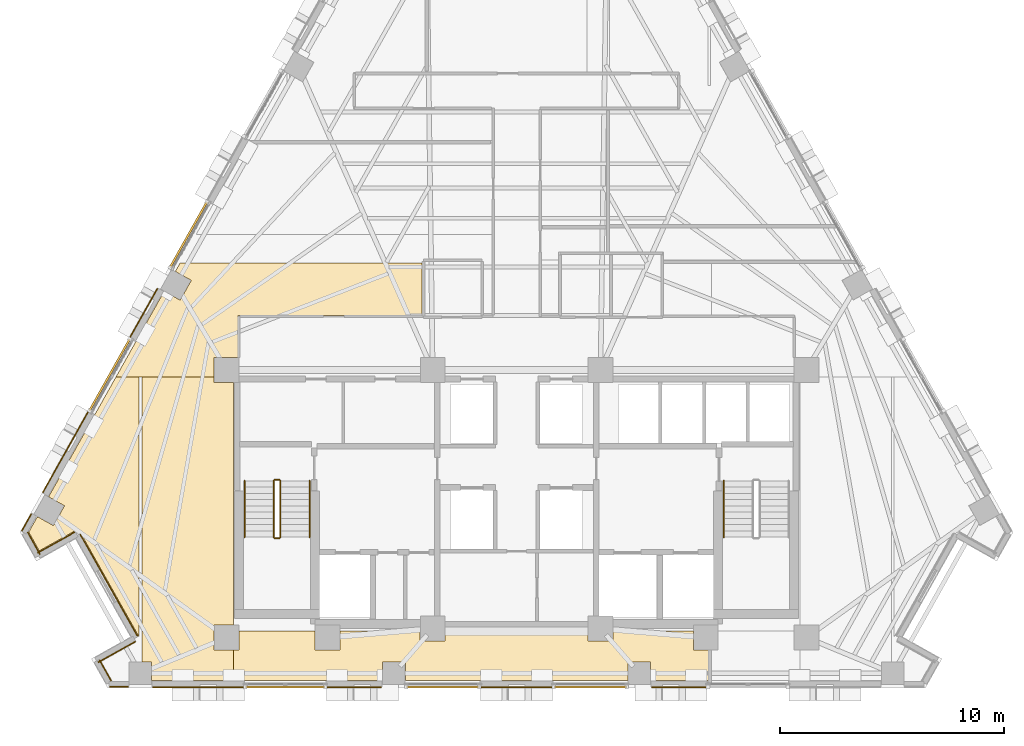
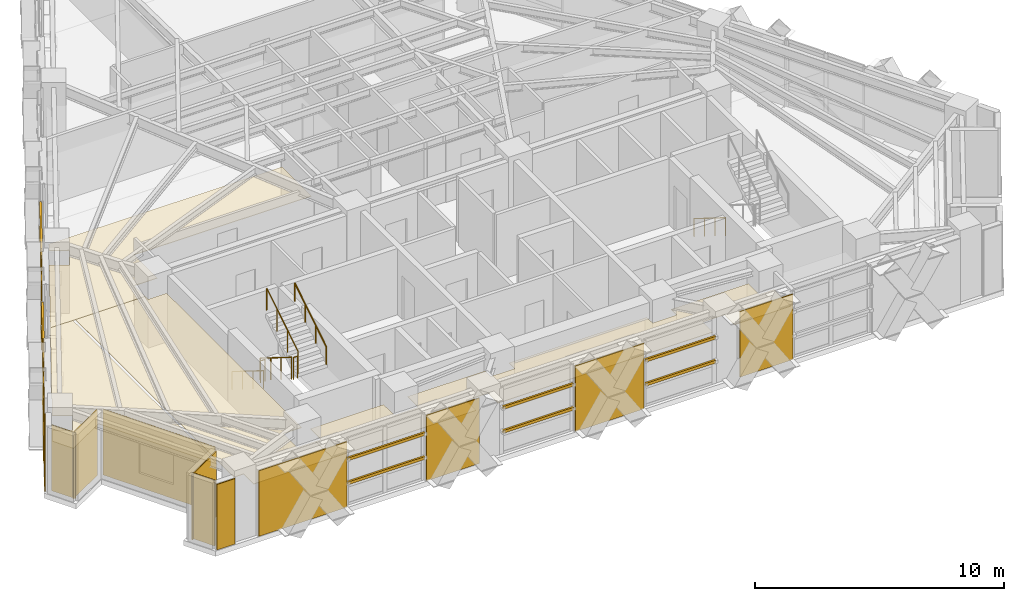
# One storey, part 11 of 14: 17 coverings, 10 shading devices, 7 railings.
"""IFC4 building model written with IfcOpenShell, lengths in metres."""

from ifc_helpers import new_model, si_unit, direction, frame, origin, origin_2d, place, context, subcontext, project, spatial, polyline, rectangle, circle, outline, extrude, material, layer, layer_set, material_profile, profile_set, type_object, element, save


model = new_model("IFC4")

# Units and contexts
model_context = context("Model", 3, precision=1e-05, world=origin(), true_north=direction((0.0, 1.0)))
body_context = subcontext(model_context, "Body", "Model", "MODEL_VIEW")
ifc_project = project(units=[si_unit("LENGTHUNIT", "METRE"), si_unit("AREAUNIT", "SQUARE_METRE"), si_unit("VOLUMEUNIT", "CUBIC_METRE"), si_unit("PLANEANGLEUNIT", "RADIAN"), si_unit("MASSUNIT", "GRAM", prefix="KILO")], contexts=[model_context])

# Site, building, storey
site_placement = place(None, origin())
site = spatial("IfcSite", under=ifc_project, at=site_placement, CompositionType="ELEMENT")
building_placement = place(site_placement, origin())
building = spatial("IfcBuilding", under=site, at=building_placement, Name="Quenlor Broadcast Tower", CompositionType="ELEMENT")
storey_placement = place(building_placement, frame((0.0, 0.0, 165.0)))
storey = spatial("IfcBuildingStorey", under=building, at=storey_placement, Name="L45", CompositionType="ELEMENT", Elevation=165.0)

# Coverings
ifc_material_1 = material(Name="Acoustic Mineral Fibre Board", Category="other")
ifc_layer_1 = layer(ifc_material_1, 0.02490234375)
ifc_layer_set_1 = layer_set([ifc_layer_1], Name="Acoustic Perforated Mineral Tile Ceiling 25")
covering_type_1 = type_object("IfcCoveringType", Name="Acoustic Perforated Mineral Tile Ceiling 25", PredefinedType="CEILING", material=ifc_layer_set_1)
covering_1_placement = place(storey_placement, frame((0.0, 0.0, 2.375)))
element("IfcCovering", 1, at=covering_1_placement, inside=storey, type_object=covering_type_1, Name="L45 Acoustic Ceiling L45-36", PredefinedType="CEILING", context=body_context, shape_type="SweptSolid", body=[
    extrude(outline(polyline([(-15.7431640625, -1.281494140625), (-15.0302734375, -1.6826171875), (-14.5322265625, -0.797119140625), (-15.2451171875, -0.39599609375), (-15.031494140625, -0.016357421875), (-4.219970703125, -0.016357421875), (-4.219970703125, -2.3701171875), (-12.43994140625, -2.3701171875), (-12.43994140625, -4.241943359375), (-13.508056640625, -4.241943359375), (-13.508056640625, -5.1201171875), (-16.739990234375, -5.1201171875), (-16.860107421875, -5.1201171875), (-17.90234375, -5.1201171875), (-15.7431640625, -1.281494140625)])), origin(), (0.0, 0.0, 1.0), 0.02490234375),
])
covering_2_placement = place(storey_placement, frame((0.0, 0.0, 2.375)))
element("IfcCovering", 2, at=covering_2_placement, inside=storey, type_object=covering_type_1, Name="L45 Acoustic Ceiling L45-36-2", PredefinedType="CEILING", context=body_context, shape_type="SweptSolid", body=[
    extrude(outline(polyline([(-20.19580078125, -10.86572265625), (-20.90869140625, -10.46484375), (-17.90234375, -5.1201171875), (-16.860107421875, -5.1201171875), (-16.860107421875, -16.733642578125), (-19.580322265625, -11.8974609375), (-21.323486328125, -12.878173828125), (-21.794921875, -12.0400390625), (-21.406982421875, -11.350341796875), (-20.694091796875, -11.751220703125), (-20.19580078125, -10.86572265625)])), origin(), (0.0, 0.0, 1.0), 0.02490234375),
])
covering_3_placement = place(storey_placement, frame((0.0, 0.0, 2.375)))
element("IfcCovering", 3, at=covering_3_placement, inside=storey, type_object=covering_type_1, Name="L45 Acoustic Ceiling L45-36-3", PredefinedType="CEILING", context=body_context, shape_type="SweptSolid", body=[
    extrude(outline(polyline([(-13.508056640625, -5.35791015625), (-12.64990234375, -5.35791015625), (-12.64990234375, -16.19189453125), (-13.508056640625, -16.19189453125), (-13.508056640625, -17.30810546875), (-12.64990234375, -17.30810546875), (-12.64990234375, -18.659912109375), (-16.30029296875, -18.659912109375), (-16.30029296875, -17.842041015625), (-16.739990234375, -17.842041015625), (-16.739990234375, -5.1201171875), (-13.508056640625, -5.1201171875), (-13.508056640625, -5.35791015625)])), origin(), (0.0, 0.0, 1.0), 0.02490234375),
])
covering_4_placement = place(storey_placement, frame((0.0, 0.0, 2.375)))
element("IfcCovering", 4, at=covering_4_placement, inside=storey, type_object=covering_type_1, Name="L45 Acoustic Ceiling L45-36-4", PredefinedType="CEILING", context=body_context, shape_type="SweptSolid", body=[
    extrude(outline(polyline([(-12.39208984375, -17.30810546875), (-12.39208984375, -16.449951171875), (-9.008056640625, -16.449951171875), (-9.008056640625, -17.30810546875), (-7.89208984375, -17.30810546875), (-7.89208984375, -16.449951171875), (-4.30810546875, -16.449951171875), (-4.30810546875, -16.907958984375), (-3.19189453125, -16.907958984375), (-3.19189453125, -16.449951171875), (3.19189453125, -16.449951171875), (3.19189453125, -16.907958984375), (4.30810546875, -16.907958984375), (4.30810546875, -16.449951171875), (7.89208984375, -16.449951171875), (7.89208984375, -17.30810546875), (8.594482421875, -17.30810546875), (8.594482421875, -18.659912109375), (5.989013671875, -18.659912109375), (5.989013671875, -17.842041015625), (4.972900390625, -17.842041015625), (4.972900390625, -18.659912109375), (-4.972900390625, -18.659912109375), (-4.972900390625, -17.842041015625), (-5.989013671875, -17.842041015625), (-5.989013671875, -18.659912109375), (-12.64990234375, -18.659912109375), (-12.64990234375, -17.30810546875), (-12.39208984375, -17.30810546875)])), origin(), (0.0, 0.0, 1.0), 0.02490234375),
])

# Shading devices
ifc_material_2 = material(Name="Architectural Terracotta Ceramic", Category="masonry")
ifc_material_profile = material_profile(ifc_material_2, rectangle(XDim=0.090087890625, YDim=0.139892578125, at=origin_2d()))
ifc_profile_set = profile_set([ifc_material_profile], Name="Architectural Terracotta Ceramic BAG90x140")
shading_device_type = type_object("IfcShadingDeviceType", Name="Copper Terracotta Baguette Solar Screen 140", PredefinedType="USERDEFINED", material=ifc_profile_set)
for number, where, z_axis, x_axis, name in (
    (5, (-8.550048828125, -18.952880859375, 1.169921875), (-1.0, 0.0, 0.0), (0.0, -1.0, 0.0), "L45 Terracotta Baguette Screen 1"),
    (6, (-8.550048828125, -18.952880859375, 2.340087890625), (-1.0, 0.0, 0.0), (0.0, -1.0, 0.0), "L45 Terracotta Baguette Screen 2"),
):
    element("IfcShadingDevice", number, at=place(storey_placement, frame(where, z_axis=z_axis, x_axis=x_axis)), inside=storey, type_object=shading_device_type, Name=name, ObjectType="BAGUETTE", PredefinedType="USERDEFINED", context=body_context, shape_type="SweptSolid", body=[
        extrude(rectangle(XDim=0.090087890625, YDim=0.139892578125, at=origin_2d()), origin(), (0.0, 0.0, 1.0), 3.56396484375),
    ])
for number, where, z_axis, x_axis, name in (
    (7, (4.926025390625, -18.952880859375, 1.169921875), (-1.0, 0.0, 0.0), (0.0, -1.0, 0.0), "L45 Terracotta Baguette Screen 1"),
    (8, (4.926025390625, -18.952880859375, 2.340087890625), (-1.0, 0.0, 0.0), (0.0, -1.0, 0.0), "L45 Terracotta Baguette Screen 2"),
    (9, (-1.662109375, -18.952880859375, 1.169921875), (-1.0, 0.0, 0.0), (0.0, -1.0, 0.0), "L45 Terracotta Baguette Screen 1"),
    (10, (-1.662109375, -18.952880859375, 2.340087890625), (-1.0, 0.0, 0.0), (0.0, -1.0, 0.0), "L45 Terracotta Baguette Screen 2"),
):
    element("IfcShadingDevice", number, at=place(storey_placement, frame(where, z_axis=z_axis, x_axis=x_axis)), inside=storey, type_object=shading_device_type, Name=name, ObjectType="BAGUETTE", PredefinedType="USERDEFINED", context=body_context, shape_type="SweptSolid", body=[
        extrude(rectangle(XDim=0.090087890625, YDim=0.139892578125, at=origin_2d()), origin(), (0.0, 0.0, 1.0), 3.263916015625),
    ])
for number, where, z_axis, x_axis, name in (
    (11, (-19.079345703125, -6.61474609375, 1.169921875), (0.490258076222, 0.871577316535, 0.0), (-0.871577316535, 0.490258076222, 0.0), "L45 Terracotta Baguette Screen 1"),
    (12, (-19.079345703125, -6.61474609375, 2.340087890625), (0.490258076222, 0.871577316535, 0.0), (-0.871577316535, 0.490258076222, 0.0), "L45 Terracotta Baguette Screen 2"),
):
    element("IfcShadingDevice", number, at=place(storey_placement, frame(where, z_axis=z_axis, x_axis=x_axis)), inside=storey, type_object=shading_device_type, Name=name, ObjectType="BAGUETTE", PredefinedType="USERDEFINED", context=body_context, shape_type="SweptSolid", body=[
        extrude(rectangle(XDim=0.090087890625, YDim=0.139892578125, at=origin_2d()), origin(), (0.0, 0.0, 1.0), 3.6640625),
    ])
for number, where, z_axis, x_axis, name in (
    (13, (-15.4775390625, -0.211181640625, 1.169921875), (0.490288918116, 0.871559967399, 0.0), (-0.871559967399, 0.490288918116, 0.0), "L45 Terracotta Baguette Screen 1"),
    (14, (-15.4775390625, -0.211181640625, 2.340087890625), (0.490288918116, 0.871559967399, 0.0), (-0.871559967399, 0.490288918116, 0.0), "L45 Terracotta Baguette Screen 2"),
):
    element("IfcShadingDevice", number, at=place(storey_placement, frame(where, z_axis=z_axis, x_axis=x_axis)), inside=storey, type_object=shading_device_type, Name=name, ObjectType="BAGUETTE", PredefinedType="USERDEFINED", context=body_context, shape_type="SweptSolid", body=[
        extrude(rectangle(XDim=0.090087890625, YDim=0.139892578125, at=origin_2d()), origin(), (0.0, 0.0, 1.0), 3.350341796875),
    ])

# Coverings
ifc_material_3 = material(Name="Architectural Terracotta Ceramic", Category="masonry")
ifc_layer_2 = layer(ifc_material_3, 0.044921875)
ifc_layer_set_2 = layer_set([ifc_layer_2], Name="Fluted Terracotta Rainscreen Cladding Panel")
covering_type_2 = type_object("IfcCoveringType", Name="Fluted Terracotta Rainscreen Cladding Panel", PredefinedType="CLADDING", material=ifc_layer_set_2)
covering_5_placement = place(storey_placement, frame((0.0, 0.0, 0.02001953125)))
element("IfcCovering", 15, at=covering_5_placement, inside=storey, type_object=covering_type_2, Name="L45 Terracotta Rainscreen Cladding L45-SHD-SS1", PredefinedType="CLADDING", context=body_context, shape_type="SweptSolid", body=[
    extrude(outline(polyline([(-17.343505859375, -18.93701171875), (-18.179931640625, -18.93701171875), (-18.179931640625, -18.98193359375), (-17.343505859375, -18.98193359375), (-17.343505859375, -18.93701171875)])), origin(), (0.0, 0.0, 1.0), 3.2099609375),
])
covering_6_placement = place(storey_placement, frame((0.0, 0.0, 0.02001953125)))
element("IfcCovering", 16, at=covering_6_placement, inside=storey, type_object=covering_type_2, Name="L45 Terracotta Rainscreen Cladding L45-SA-SP2", PredefinedType="CLADDING", context=body_context, shape_type="SweptSolid", body=[
    extrude(outline(polyline([(8.485107421875, -18.95703125), (6.035888671875, -18.95703125), (6.035888671875, -19.001953125), (8.485107421875, -19.001953125), (8.485107421875, -18.95703125)])), origin(), (0.0, 0.0, 1.0), 3.2099609375),
])
covering_7_placement = place(storey_placement, frame((0.0, 0.0, 0.02001953125)))
element("IfcCovering", 17, at=covering_7_placement, inside=storey, type_object=covering_type_2, Name="L45 Terracotta Rainscreen Cladding L45-SC-SP1", PredefinedType="CLADDING", context=body_context, shape_type="SweptSolid", body=[
    extrude(outline(polyline([(-6.035888671875, -18.95703125), (-8.485107421875, -18.95703125), (-8.485107421875, -19.001953125), (-6.035888671875, -19.001953125), (-6.035888671875, -18.95703125)])), origin(), (0.0, 0.0, 1.0), 3.2099609375),
])
covering_8_placement = place(storey_placement, frame((0.0, 0.0, 0.02001953125)))
element("IfcCovering", 18, at=covering_8_placement, inside=storey, type_object=covering_type_2, Name="L45 Terracotta Rainscreen Cladding L45-SC-SP2", PredefinedType="CLADDING", context=body_context, shape_type="SweptSolid", body=[
    extrude(outline(polyline([(-12.178955078125, -18.95703125), (-16.25341796875, -18.95703125), (-16.25341796875, -19.001953125), (-12.178955078125, -19.001953125), (-12.178955078125, -18.95703125)])), origin(), (0.0, 0.0, 1.0), 3.2099609375),
])
covering_9_placement = place(storey_placement, frame((0.0, 0.0, 0.02001953125)))
element("IfcCovering", 19, at=covering_9_placement, inside=storey, type_object=covering_type_2, Name="L45 Terracotta Rainscreen Cladding L45-S-SP1", PredefinedType="CLADDING", context=body_context, shape_type="SweptSolid", body=[
    extrude(outline(polyline([(1.596923828125, -18.95703125), (-1.596923828125, -18.95703125), (-1.596923828125, -19.001953125), (1.596923828125, -19.001953125), (1.596923828125, -18.95703125)])), origin(), (0.0, 0.0, 1.0), 3.2099609375),
])
covering_10_placement = place(storey_placement, frame((0.0, 0.0, 0.02001953125)))
element("IfcCovering", 20, at=covering_10_placement, inside=storey, type_object=covering_type_2, Name="L45 Terracotta Rainscreen Cladding L45-SHD-NWS0", PredefinedType="CLADDING", context=body_context, shape_type="SweptSolid", body=[
    extrude(outline(polyline([(-22.0859375, -11.992431640625), (-21.66162109375, -11.23779296875), (-21.70068359375, -11.2158203125), (-22.125244140625, -11.970458984375), (-22.0859375, -11.992431640625)])), origin(), (0.0, 0.0, 1.0), 3.2099609375),
])
covering_11_placement = place(storey_placement, frame((0.0, 0.0, 0.02001953125)))
element("IfcCovering", 21, at=covering_11_placement, inside=storey, type_object=covering_type_2, Name="L45 Terracotta Rainscreen Cladding L45-NWA-SP1", PredefinedType="CLADDING", context=body_context, shape_type="SweptSolid", body=[
    extrude(outline(polyline([(-21.14453125, -10.278076171875), (-19.11474609375, -6.66943359375), (-19.154052734375, -6.6474609375), (-21.183837890625, -10.256103515625), (-21.14453125, -10.278076171875)])), origin(), (0.0, 0.0, 1.0), 3.2099609375),
])
covering_12_placement = place(storey_placement, frame((0.0, 0.0, 0.02001953125)))
element("IfcCovering", 22, at=covering_12_placement, inside=storey, type_object=covering_type_2, Name="L45 Terracotta Rainscreen Cladding L45-NWA-SP2", PredefinedType="CLADDING", context=body_context, shape_type="SweptSolid", body=[
    extrude(outline(polyline([(-17.254638671875, -3.362548828125), (-16.025146484375, -1.1767578125), (-16.064453125, -1.15478515625), (-17.2939453125, -3.340576171875), (-17.254638671875, -3.362548828125)])), origin(), (0.0, 0.0, 1.0), 3.2099609375),
])
covering_13_placement = place(storey_placement, frame((0.0, 0.0, 0.02001953125)))
element("IfcCovering", 23, at=covering_13_placement, inside=storey, type_object=covering_type_2, Name="L45 Terracotta Rainscreen Cladding L45-CNR-12", PredefinedType="CLADDING", context=body_context, shape_type="SweptSolid", body=[
    extrude(outline(polyline([(-21.864501953125, -12.0546875), (-21.309326171875, -13.0419921875), (-21.27001953125, -13.02001953125), (-21.825439453125, -12.03271484375), (-21.864501953125, -12.0546875)])), origin(), (0.0, 0.0, 1.0), 3.2099609375),
])
covering_14_placement = place(storey_placement, frame((0.0, 0.0, 0.02001953125)))
element("IfcCovering", 24, at=covering_14_placement, inside=storey, type_object=covering_type_2, Name="L45 Terracotta Rainscreen Cladding L45-CNR-13", PredefinedType="CLADDING", context=body_context, shape_type="SweptSolid", body=[
    extrude(outline(polyline([(-21.385986328125, -12.9912109375), (-19.72998046875, -12.059814453125), (-19.752197265625, -12.0205078125), (-21.408203125, -12.9521484375), (-21.385986328125, -12.9912109375)])), origin(), (0.0, 0.0, 1.0), 3.2099609375),
])
covering_15_placement = place(storey_placement, frame((0.0, 0.0, 0.02001953125)))
element("IfcCovering", 25, at=covering_15_placement, inside=storey, type_object=covering_type_2, Name="L45 Terracotta Rainscreen Cladding L45-CNR-14", PredefinedType="CLADDING", context=body_context, shape_type="SweptSolid", body=[
    extrude(outline(polyline([(-19.51708984375, -12.148681640625), (-16.9580078125, -16.6982421875), (-16.918701171875, -16.67626953125), (-19.477783203125, -12.126708984375), (-19.51708984375, -12.148681640625)])), origin(), (0.0, 0.0, 1.0), 3.2099609375),
])
covering_16_placement = place(storey_placement, frame((0.0, 0.0, 0.02001953125)))
element("IfcCovering", 26, at=covering_16_placement, inside=storey, type_object=covering_type_2, Name="L45 Terracotta Rainscreen Cladding L45-CNR-15", PredefinedType="CLADDING", context=body_context, shape_type="SweptSolid", body=[
    extrude(outline(polyline([(-17.046875, -16.911376953125), (-18.702880859375, -17.8427734375), (-18.680908203125, -17.882080078125), (-17.02490234375, -16.950439453125), (-17.046875, -16.911376953125)])), origin(), (0.0, 0.0, 1.0), 3.2099609375),
])
covering_17_placement = place(storey_placement, frame((0.0, 0.0, 0.02001953125)))
element("IfcCovering", 27, at=covering_17_placement, inside=storey, type_object=covering_type_2, Name="L45 Terracotta Rainscreen Cladding L45-CNR-16", PredefinedType="CLADDING", context=body_context, shape_type="SweptSolid", body=[
    extrude(outline(polyline([(-18.652099609375, -17.76611328125), (-18.127685546875, -18.697998046875), (-18.088623046875, -18.67578125), (-18.61279296875, -17.743896484375), (-18.652099609375, -17.76611328125)])), origin(), (0.0, 0.0, 1.0), 3.2099609375),
])

# Railings
ifc_material_4 = material(Name="Anodised Aluminium", Category="aluminium")
railing_type_1 = type_object("IfcRailingType", Name="Stainless Aluminium Wall Handrail 900", PredefinedType="HANDRAIL", material=ifc_material_4)
railing_1_placement = place(storey_placement, frame((-12.14990234375, -9.75, 0.175048828125)))
element("IfcRailing", 28, at=railing_1_placement, inside=storey, type_object=railing_type_1, Name="L45 ST-1 stair handrail 1", PredefinedType="HANDRAIL", context=body_context, shape_type="SweptSolid", body=[
    extrude(circle(Radius=0.02392578125, at=origin_2d()), frame((0.0, 0.0, 0.8759765625), z_axis=(0.0, -0.848007534815, 0.529984170421), x_axis=(1.0, 0.0, 0.0)), (0.0, 0.0, 1.0), 2.9716796875),
    extrude(circle(Radius=0.02099609375, at=origin_2d()), origin(), (0.0, 0.0, 1.0), 0.851806640625),
    extrude(circle(Radius=0.02099609375, at=origin_2d()), frame((0.0, -0.840087890625, 0.52490234375)), (0.0, 0.0, 1.0), 0.851806640625),
    extrude(circle(Radius=0.02099609375, at=origin_2d()), frame((0.0, -1.679931640625, 1.050048828125)), (0.0, 0.0, 1.0), 0.851806640625),
    extrude(circle(Radius=0.02099609375, at=origin_2d()), frame((0.0, -2.52001953125, 1.574951171875)), (0.0, 0.0, 1.0), 0.851806640625),
])
railing_2_placement = place(storey_placement, frame((-9.25, -12.27001953125, 1.925048828125)))
element("IfcRailing", 29, at=railing_2_placement, inside=storey, type_object=railing_type_1, Name="L45 ST-1 stair handrail 2", PredefinedType="HANDRAIL", context=body_context, shape_type="SweptSolid", body=[
    extrude(circle(Radius=0.02392578125, at=origin_2d()), frame((0.0, 0.0, 0.8759765625), z_axis=(0.0, 0.848007534815, 0.529984170421), x_axis=(-1.0, 0.0, 0.0)), (0.0, 0.0, 1.0), 2.9716796875),
    extrude(circle(Radius=0.02099609375, at=origin_2d()), origin(), (0.0, 0.0, 1.0), 0.851806640625),
    extrude(circle(Radius=0.02099609375, at=origin_2d()), frame((0.0, 0.840087890625, 0.52490234375)), (0.0, 0.0, 1.0), 0.851806640625),
    extrude(circle(Radius=0.02099609375, at=origin_2d()), frame((0.0, 1.679931640625, 1.050048828125)), (0.0, 0.0, 1.0), 0.851806640625),
    extrude(circle(Radius=0.02099609375, at=origin_2d()), frame((0.0, 2.52001953125, 1.574951171875)), (0.0, 0.0, 1.0), 0.851806640625),
])
railing_3_placement = place(storey_placement, frame((9.25, -9.75, 0.175048828125)))
element("IfcRailing", 30, at=railing_3_placement, inside=storey, type_object=railing_type_1, Name="L45 ST-2 stair handrail 1", PredefinedType="HANDRAIL", context=body_context, shape_type="SweptSolid", body=[
    extrude(circle(Radius=0.02392578125, at=origin_2d()), frame((0.0, 0.0, 0.8759765625), z_axis=(0.0, -0.848007534815, 0.529984170421), x_axis=(1.0, 0.0, 0.0)), (0.0, 0.0, 1.0), 2.9716796875),
    extrude(circle(Radius=0.02099609375, at=origin_2d()), origin(), (0.0, 0.0, 1.0), 0.851806640625),
    extrude(circle(Radius=0.02099609375, at=origin_2d()), frame((0.0, -0.840087890625, 0.52490234375)), (0.0, 0.0, 1.0), 0.851806640625),
    extrude(circle(Radius=0.02099609375, at=origin_2d()), frame((0.0, -1.679931640625, 1.050048828125)), (0.0, 0.0, 1.0), 0.851806640625),
    extrude(circle(Radius=0.02099609375, at=origin_2d()), frame((0.0, -2.52001953125, 1.574951171875)), (0.0, 0.0, 1.0), 0.851806640625),
])
ifc_material_5 = material(Name="Steel S355", Category="steel")
railing_type_2 = type_object("IfcRailingType", Name="Tubular Steel S355 Stair Guardrail 1100", PredefinedType="BALUSTRADE", material=ifc_material_5)
railing_4_placement = place(storey_placement, frame((-10.85009765625, -9.75, 0.175048828125)))
element("IfcRailing", 31, at=railing_4_placement, inside=storey, type_object=railing_type_2, Name="L45 ST-1 stair guard 1", PredefinedType="BALUSTRADE", context=body_context, shape_type="SweptSolid", body=[
    extrude(circle(Radius=0.02392578125, at=origin_2d()), frame((0.0, 0.0, 1.076171875), z_axis=(0.0, -0.848007534815, 0.529984170421), x_axis=(1.0, 0.0, 0.0)), (0.0, 0.0, 1.0), 2.9716796875),
    extrude(circle(Radius=0.02099609375, at=origin_2d()), origin(), (0.0, 0.0, 1.0), 1.052001953125),
    extrude(circle(Radius=0.02099609375, at=origin_2d()), frame((0.0, -0.840087890625, 0.52490234375)), (0.0, 0.0, 1.0), 1.052001953125),
    extrude(circle(Radius=0.02099609375, at=origin_2d()), frame((0.0, -1.679931640625, 1.050048828125)), (0.0, 0.0, 1.0), 1.052001953125),
    extrude(circle(Radius=0.02099609375, at=origin_2d()), frame((0.0, -2.52001953125, 1.574951171875)), (0.0, 0.0, 1.0), 1.052001953125),
])
railing_5_placement = place(storey_placement, frame((-10.800048828125, -12.320068359375, 1.75)))
element("IfcRailing", 32, at=railing_5_placement, inside=storey, type_object=railing_type_2, Name="L45 ST-1 stair guard 2", PredefinedType="BALUSTRADE", context=body_context, shape_type="SweptSolid", body=[
    extrude(circle(Radius=0.02392578125, at=origin_2d()), frame((0.0, 0.0, 1.076171875), z_axis=(1.0, 0.0, 0.0), x_axis=(0.0, 1.0, 0.0)), (0.0, 0.0, 1.0), 0.199951171875),
    extrude(circle(Radius=0.02099609375, at=origin_2d()), origin(), (0.0, 0.0, 1.0), 1.052001953125),
    extrude(circle(Radius=0.02099609375, at=origin_2d()), frame((0.199951171875, 0.0, 0.0)), (0.0, 0.0, 1.0), 1.052001953125),
])
railing_6_placement = place(storey_placement, frame((-10.550048828125, -12.27001953125, 1.925048828125)))
element("IfcRailing", 33, at=railing_6_placement, inside=storey, type_object=railing_type_2, Name="L45 ST-1 stair guard 3", PredefinedType="BALUSTRADE", context=body_context, shape_type="SweptSolid", body=[
    extrude(circle(Radius=0.02392578125, at=origin_2d()), frame((0.0, 0.0, 1.076171875), z_axis=(0.0, 0.848007534815, 0.529984170421), x_axis=(-1.0, 0.0, 0.0)), (0.0, 0.0, 1.0), 2.9716796875),
    extrude(circle(Radius=0.02099609375, at=origin_2d()), origin(), (0.0, 0.0, 1.0), 1.052001953125),
    extrude(circle(Radius=0.02099609375, at=origin_2d()), frame((0.0, 0.840087890625, 0.52490234375)), (0.0, 0.0, 1.0), 1.052001953125),
    extrude(circle(Radius=0.02099609375, at=origin_2d()), frame((0.0, 1.679931640625, 1.050048828125)), (0.0, 0.0, 1.0), 1.052001953125),
    extrude(circle(Radius=0.02099609375, at=origin_2d()), frame((0.0, 2.52001953125, 1.574951171875)), (0.0, 0.0, 1.0), 1.052001953125),
])
railing_7_placement = place(storey_placement, frame((-10.800048828125, -9.699951171875, 0.0)))
element("IfcRailing", 34, at=railing_7_placement, inside=storey, type_object=railing_type_2, Name="L45 ST-1 stair guard 4", PredefinedType="BALUSTRADE", context=body_context, shape_type="SweptSolid", body=[
    extrude(circle(Radius=0.02392578125, at=origin_2d()), frame((0.0, 0.0, 1.076171875), z_axis=(1.0, 0.0, 0.0), x_axis=(0.0, 1.0, 0.0)), (0.0, 0.0, 1.0), 0.199951171875),
    extrude(circle(Radius=0.02099609375, at=origin_2d()), origin(), (0.0, 0.0, 1.0), 1.052001953125),
    extrude(circle(Radius=0.02099609375, at=origin_2d()), frame((0.199951171875, 0.0, 0.0)), (0.0, 0.0, 1.0), 1.052001953125),
])

save(model, "model.ifc")
